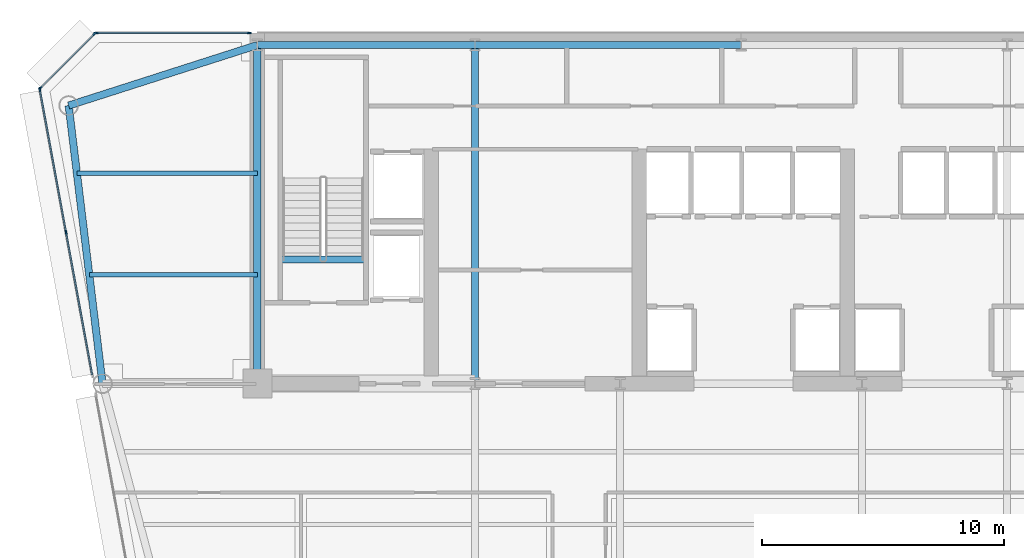
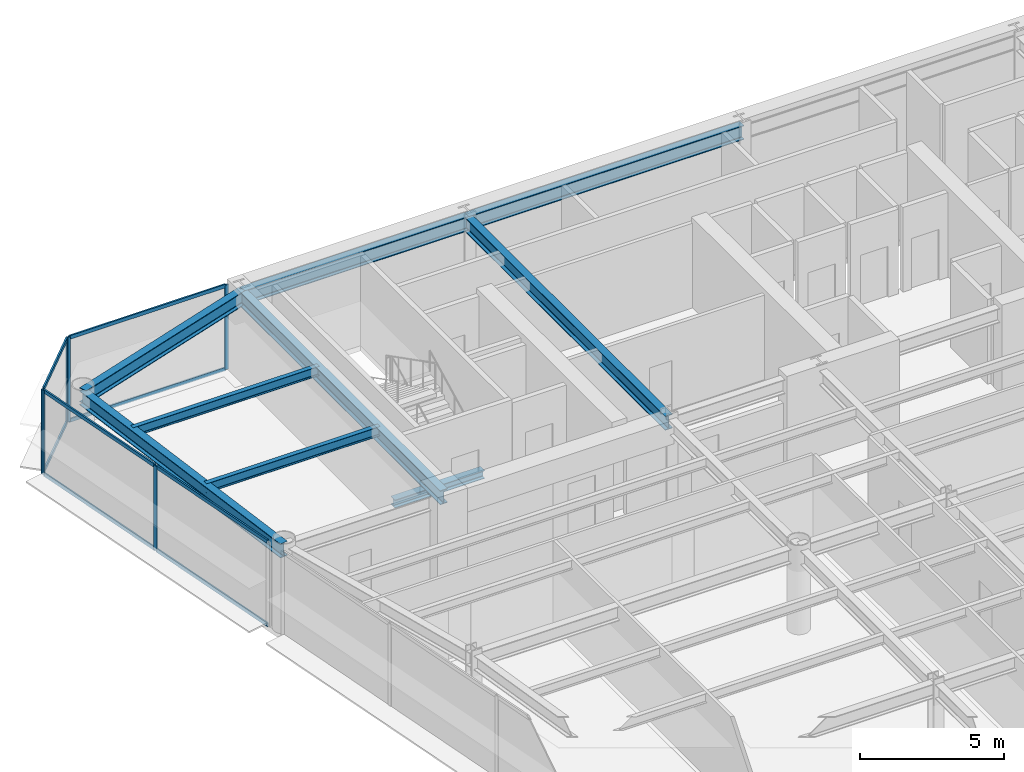
# One storey, part 7 of 16: 14 members, 9 beams, 3 elements without a shape of their own.
"""IFC4 building model written with IfcOpenShell, lengths in metres."""

import ifcopenshell
import ifcopenshell.guid

model = None  # the IFC model being written
_history = None  # IfcOwnerHistory: only IFC2X3 demands one
_inside = {}  # id of a spatial element -> (the spatial element, [elements in it])
_under = {}  # id of a project, library or spatial element -> (it, [spatial elements below it])
_declared = {}  # id of a project -> (the project, [libraries it declares])
_typed = {}  # id of a type object -> (the type object, [elements of that type])
_made_of = {}  # id of a material, layer set ... -> (it, [elements and type objects made of it])


def new_model(schema):
    """Start an empty IFC model of exactly this schema.

    Asked for "IFC4X3", IfcOpenShell would pick the latest addendum, in which some entities
    have other attributes; the version numbers below select the first issue.
    IFC2X3 requires an IfcOwnerHistory on every rooted entity: one is made here for all.
    """
    global model, _history
    if schema == "IFC4X3":
        model = ifcopenshell.file(schema_version=(4, 3, 0, 0))
    else:
        model = ifcopenshell.file(schema=schema)
    _inside.clear()
    _under.clear()
    _declared.clear()
    _typed.clear()
    _made_of.clear()
    _history = None
    if model.schema == "IFC2X3":
        org = make("IfcOrganization", Name="unknown")
        user = make(
            "IfcPersonAndOrganization",
            ThePerson=make("IfcPerson", FamilyName="unknown"),
            TheOrganization=org,
        )
        app = make(
            "IfcApplication",
            ApplicationDeveloper=org,
            Version="unknown",
            ApplicationFullName="unknown",
            ApplicationIdentifier="unknown",
        )
        _history = make(
            "IfcOwnerHistory",
            OwningUser=user,
            OwningApplication=app,
            ChangeAction="ADDED",
            CreationDate=0,
        )
    return model


def make(cls, **values):
    """One entity of the class cls with the attributes given. An attribute that is None is left unset."""
    return model.create_entity(
        cls, **{name: value for name, value in values.items() if value is not None}
    )


def rooted(cls, **values):
    """An entity with a GlobalId (a new one), such as an element, a storey or a relation."""
    return make(cls, GlobalId=ifcopenshell.guid.new(), OwnerHistory=_history, **values)


def si_unit(unit_type, name, prefix=None):
    """IfcSIUnit, for example si_unit("LENGTHUNIT", "METRE", prefix="MILLI")."""
    return make("IfcSIUnit", UnitType=unit_type, Prefix=prefix, Name=name)


def assignment(units):
    """IfcUnitAssignment: the units of a project."""
    return None if units is None else make("IfcUnitAssignment", Units=units)


def point(xyz):
    """IfcCartesianPoint."""
    return None if xyz is None else make("IfcCartesianPoint", Coordinates=xyz)


def direction(xyz):
    """IfcDirection."""
    return None if xyz is None else make("IfcDirection", DirectionRatios=xyz)


def frame(location, z_axis=None, x_axis=None):
    """IfcAxis2Placement3D, a coordinate frame: its origin and axes. An axis left out is left unset."""
    return make(
        "IfcAxis2Placement3D",
        Location=point(location),
        Axis=direction(z_axis),
        RefDirection=direction(x_axis),
    )


def frame_2d(location, x_axis=None):
    """IfcAxis2Placement2D, a coordinate frame in the plane: its origin and x axis."""
    return make(
        "IfcAxis2Placement2D", Location=point(location), RefDirection=direction(x_axis)
    )


def origin():
    """The frame at (0, 0, 0) with its axes left unset."""
    return frame((0.0, 0.0, 0.0))


def origin_2d():
    """The frame at (0, 0) in the plane with its x axis left unset."""
    return frame_2d((0.0, 0.0))


def place(relative_to, where):
    """IfcLocalPlacement: puts the frame where relative to a parent placement (None: the world)."""
    return make(
        "IfcLocalPlacement", PlacementRelTo=relative_to, RelativePlacement=where
    )


def context(
    kind, dimensions, precision=None, world=None, true_north=None, identifier=None
):
    """IfcGeometricRepresentationContext, for example the 3D "Model" context."""
    return make(
        "IfcGeometricRepresentationContext",
        ContextIdentifier=identifier,
        ContextType=kind,
        CoordinateSpaceDimension=dimensions,
        Precision=precision,
        WorldCoordinateSystem=world,
        TrueNorth=true_north,
    )


def subcontext(parent, identifier, kind, view, scale=None):
    """IfcGeometricRepresentationSubContext, for example "Body" below "Model"."""
    return make(
        "IfcGeometricRepresentationSubContext",
        ContextIdentifier=identifier,
        ContextType=kind,
        ParentContext=parent,
        TargetScale=scale,
        TargetView=view,
    )


def project(units=None, contexts=None):
    """IfcProject with its units and contexts."""
    return rooted(
        "IfcProject",
        Name="project",
        RepresentationContexts=contexts,
        UnitsInContext=assignment(units),
    )


def spatial(cls, under=None, at=None, **own):
    """A site, building, storey or space (cls), placed at a placement, below another one or the project."""
    s = rooted(cls, ObjectPlacement=at, **own)
    if under is not None:
        _under.setdefault(under.id(), (under, []))[1].append(s)
    return s


def profile(cls, at=None, kind="AREA", **sizes):
    """A parametric profile (cls). Its sizes go by their IFC names, for example OverallWidth=200.0."""
    return make(cls, ProfileType=kind, Position=at, **sizes)


def rectangle(**sizes):
    """IfcRectangleProfileDef."""
    return profile("IfcRectangleProfileDef", **sizes)


def i_section(**sizes):
    """IfcIShapeProfileDef."""
    return profile("IfcIShapeProfileDef", **sizes)


def extrude(swept, where, along, depth):
    """IfcExtrudedAreaSolid: the profile swept, set in the frame where, extruded along a direction by depth."""
    return make(
        "IfcExtrudedAreaSolid",
        SweptArea=swept,
        Position=where,
        ExtrudedDirection=direction(along),
        Depth=depth,
    )


def shape(context_of_items, identifier, shape_type, items):
    """IfcShapeRepresentation: the items that make up one representation, for example the "Body"."""
    return make(
        "IfcShapeRepresentation",
        ContextOfItems=context_of_items,
        RepresentationIdentifier=identifier,
        RepresentationType=shape_type,
        Items=items,
    )


def source(mapping_origin, context_of_items, identifier, shape_type, items):
    """IfcRepresentationMap: a shape defined once, which mapped items show again and again."""
    return make(
        "IfcRepresentationMap",
        MappingOrigin=mapping_origin,
        MappedRepresentation=shape(context_of_items, identifier, shape_type, items),
    )


def transform(
    local_origin,
    x_axis=None,
    y_axis=None,
    z_axis=None,
    scale=None,
    scale2=None,
    scale3=None,
    uniform=True,
):
    """IfcCartesianTransformationOperator3D, or its non-uniform kind. x_axis, y_axis, z_axis: its Axis1, 2, 3."""
    if uniform:
        return make(
            "IfcCartesianTransformationOperator3D",
            Axis1=direction(x_axis),
            Axis2=direction(y_axis),
            LocalOrigin=point(local_origin),
            Scale=scale,
            Axis3=direction(z_axis),
        )
    return make(
        "IfcCartesianTransformationOperator3DnonUniform",
        Axis1=direction(x_axis),
        Axis2=direction(y_axis),
        LocalOrigin=point(local_origin),
        Scale=scale,
        Axis3=direction(z_axis),
        Scale2=scale2,
        Scale3=scale3,
    )


def mapped(mapping_source, mapping_target):
    """IfcMappedItem: shows the shape of a source again, moved by a transform."""
    return make(
        "IfcMappedItem", MappingSource=mapping_source, MappingTarget=mapping_target
    )


def material(Name=None, Category=None):
    """IfcMaterial."""
    return make("IfcMaterial", Name=Name, Category=Category)


def layer(
    of_material, thickness, ventilated=None, Name=None, Category=None, Priority=None
):
    """IfcMaterialLayer: one layer of a wall or slab, of a material (None: an air gap)."""
    return make(
        "IfcMaterialLayer",
        Material=of_material,
        LayerThickness=thickness,
        IsVentilated=ventilated,
        Name=Name,
        Category=Category,
        Priority=Priority,
    )


def layer_set(layers, Name=None):
    """IfcMaterialLayerSet."""
    return make("IfcMaterialLayerSet", MaterialLayers=layers, LayerSetName=Name)


def material_profile(
    of_material, cross_section, Name=None, Category=None, Priority=None
):
    """IfcMaterialProfile: a cross section and its material."""
    return make(
        "IfcMaterialProfile",
        Name=Name,
        Material=of_material,
        Profile=cross_section,
        Priority=Priority,
        Category=Category,
    )


def profile_set(profiles, Name=None, composite=None):
    """IfcMaterialProfileSet."""
    return make(
        "IfcMaterialProfileSet",
        Name=Name,
        MaterialProfiles=profiles,
        CompositeProfile=composite,
    )


def made_of(thing, what):
    """Note that an element or type object is made of a material, layer set ...; save() writes the relation."""
    if what is not None:
        _made_of.setdefault(what.id(), (what, []))[1].append(thing)
    return thing


def type_object(cls, material=None, **own):
    """A type object (cls), such as IfcWallType, which elements share."""
    return made_of(rooted(cls, **own), material)


def element(
    cls,
    number,
    at=None,
    inside=None,
    cuts=None,
    type_object=None,
    material=None,
    context=None,
    identifier="Body",
    shape_type=None,
    held_by="IfcProductDefinitionShape",
    body=None,
    shapes=None,
    **own,
):
    """One element of the class cls, such as IfcWall. Its Tag is "e" and its number.

    at: its placement. inside: the storey or other place that contains it. cuts: it is an
    opening in that element (IfcRelVoidsElement). A single representation is given by context,
    identifier, shape_type and body (its items); several are given by shapes. held_by: the class
    of the entity that holds the representations. save() writes the other relations.
    """
    e = rooted(cls, Tag="e%d" % number, ObjectPlacement=at, **own)
    if body is not None:
        shapes = [shape(context, identifier, shape_type, body)]
    if shapes is not None:
        e.Representation = make(held_by, Representations=shapes)
    if inside is not None:
        _inside.setdefault(inside.id(), (inside, []))[1].append(e)
    if cuts is not None:
        rooted(
            "IfcRelVoidsElement", RelatingBuildingElement=cuts, RelatedOpeningElement=e
        )
    if type_object is not None:
        _typed.setdefault(type_object.id(), (type_object, []))[1].append(e)
    return made_of(e, material)


def aggregate(whole, parts):
    """IfcRelAggregates: a whole, such as a stair, and the parts it consists of."""
    return rooted("IfcRelAggregates", RelatingObject=whole, RelatedObjects=parts)


def save(model, path):
    """Write the relations noted so far, then the file.

    IfcRelAggregates (storeys below a building ...), IfcRelContainedInSpatialStructure (elements
    in a storey), IfcRelDefinesByType, IfcRelAssociatesMaterial and IfcRelDeclares: one each for
    every whole, place, type object, material and project.
    """
    for whole, parts in _under.values():
        aggregate(whole, parts)
    for where, things in _inside.values():
        rooted(
            "IfcRelContainedInSpatialStructure",
            RelatedElements=things,
            RelatingStructure=where,
        )
    for kind, things in _typed.values():
        rooted("IfcRelDefinesByType", RelatedObjects=things, RelatingType=kind)
    for what, things in _made_of.values():
        rooted("IfcRelAssociatesMaterial", RelatedObjects=things, RelatingMaterial=what)
    for by, libraries in _declared.values():
        rooted("IfcRelDeclares", RelatingContext=by, RelatedDefinitions=libraries)
    model.write(path)


model = new_model("IFC4")

# Units and contexts
model_context = context("Model", 3, precision=1e-05, world=origin(), true_north=direction((0.0, 1.0)))
body_context = subcontext(model_context, "Body", "Model", "MODEL_VIEW")
ifc_project = project(units=[si_unit("LENGTHUNIT", "METRE"), si_unit("AREAUNIT", "SQUARE_METRE"), si_unit("VOLUMEUNIT", "CUBIC_METRE"), si_unit("PLANEANGLEUNIT", "RADIAN"), si_unit("MASSUNIT", "GRAM", prefix="KILO")], contexts=[model_context])

# Site, building, storey
site_placement = place(None, origin())
site = spatial("IfcSite", under=ifc_project, at=site_placement, CompositionType="ELEMENT")
building_placement = place(site_placement, origin())
building = spatial("IfcBuilding", under=site, at=building_placement, Name="Vaeldorn Concourse Tower", CompositionType="ELEMENT")
storey_placement = place(building_placement, frame((0.0, 0.0, 195.60009765625)))
storey = spatial("IfcBuildingStorey", under=building, at=storey_placement, Name="L50", CompositionType="ELEMENT", Elevation=195.60009765625)

# Beams
ifc_material_1 = material(Name="Steel S355", Category="steel")
ifc_material_profile_1 = material_profile(ifc_material_1, i_section(OverallWidth=0.300048828125, OverallDepth=0.340087890625, WebThickness=0.011962890625, FlangeThickness=0.021484375, FilletRadius=0.027099609375, at=origin_2d()), Name="HEB 340")
ifc_profile_set_1 = profile_set([ifc_material_profile_1], Name="Steel S355")
beam_type_1 = type_object("IfcBeamType", Name="BM-ST-TRIM", PredefinedType="BEAM", material=ifc_profile_set_1)
shared_shape_1 = source(origin(), body_context, "Body", "SweptSolid", [
    extrude(i_section(OverallWidth=0.300048828125, OverallDepth=0.340087890625, WebThickness=0.011962890625, FlangeThickness=0.021484375, FilletRadius=0.027099609375, at=origin_2d()), origin(), (0.0, 0.0, 1.0), 3.590087890625),
])
beam_1_placement = place(storey_placement, frame((14.929931640625, 41.639892578125, -0.39013671875), z_axis=(1.0, 0.0, 0.0), x_axis=(0.0, 1.0, 0.0)))
element("IfcBeam", 1, at=beam_1_placement, inside=storey, type_object=beam_type_1, Name="Stair Landing Trimmer Beam ST-1 L50", PredefinedType="BEAM", context=body_context, shape_type="MappedRepresentation", body=[
    mapped(shared_shape_1, transform((0.0, 0.0, 0.0), scale=1.0)),
])
ifc_material_profile_2 = material_profile(ifc_material_1, i_section(OverallWidth=0.300048828125, OverallDepth=0.60009765625, WebThickness=0.015380859375, FlangeThickness=0.030029296875, FilletRadius=0.027099609375, at=origin_2d()), Name="HEB 600")
ifc_profile_set_2 = profile_set([ifc_material_profile_2], Name="Steel S355")
beam_type_2 = type_object("IfcBeamType", Name="BM-PG-HEB600", PredefinedType="BEAM", material=ifc_profile_set_2)
shared_shape_2 = source(origin(), body_context, "Body", "SweptSolid", [
    extrude(i_section(OverallWidth=0.300048828125, OverallDepth=0.60009765625, WebThickness=0.015380859375, FlangeThickness=0.030029296875, FilletRadius=0.027099609375, at=origin_2d()), origin(), (0.0, 0.0, 1.0), 9.0),
])
beam_2_placement = place(storey_placement, frame((14.0, 50.5, 3.27978515625), z_axis=(1.0, 0.0, 0.0), x_axis=(0.0, 1.0, 0.0)))
element("IfcBeam", 2, at=beam_2_placement, inside=storey, type_object=beam_type_2, Name="Beam BM-L50-C-HC1-C-HC2", PredefinedType="BEAM", context=body_context, shape_type="MappedRepresentation", body=[
    mapped(shared_shape_2, transform((0.0, 0.0, 0.0), scale=1.0)),
])
shared_shape_3 = source(origin(), body_context, "Body", "SweptSolid", [
    extrude(i_section(OverallWidth=0.300048828125, OverallDepth=0.60009765625, WebThickness=0.015380859375, FlangeThickness=0.030029296875, FilletRadius=0.027099609375, at=origin_2d()), origin(), (0.0, 0.0, 1.0), 11.0),
])
beam_3_placement = place(storey_placement, frame((23.0, 50.5, 3.27978515625), z_axis=(1.0, 0.0, 0.0), x_axis=(0.0, 1.0, 0.0)))
element("IfcBeam", 3, at=beam_3_placement, inside=storey, type_object=beam_type_2, Name="Beam BM-L50-C-HC2-C-HC3", PredefinedType="BEAM", context=body_context, shape_type="MappedRepresentation", body=[
    mapped(shared_shape_3, transform((0.0, 0.0, 0.0), scale=1.0)),
])
shared_shape_4 = source(origin(), body_context, "Body", "SweptSolid", [
    extrude(i_section(OverallWidth=0.300048828125, OverallDepth=0.60009765625, WebThickness=0.015380859375, FlangeThickness=0.030029296875, FilletRadius=0.027099609375, at=origin_2d()), origin(), (0.0, 0.0, 1.0), 14.0),
])
for number, where, z_axis, x_axis, name in (
    (4, (14.0, 36.5, 3.27978515625), (0.0, 1.0, 0.0), (-1.0, 0.0, 0.0), "Beam BM-L50-C-FC1-C-HC1"),
    (5, (23.0, 36.5, 3.27978515625), (0.0, 1.0, 0.0), (-1.0, 0.0, 0.0), "Beam BM-L50-C-FC2-C-HC2"),
):
    element("IfcBeam", number, at=place(storey_placement, frame(where, z_axis=z_axis, x_axis=x_axis)), inside=storey, type_object=beam_type_2, Name=name, PredefinedType="BEAM", context=body_context, shape_type="MappedRepresentation", body=[
        mapped(shared_shape_4, transform((0.0, 0.0, 0.0), scale=1.0)),
    ])
shared_shape_5 = source(origin(), body_context, "Body", "SweptSolid", [
    extrude(i_section(OverallWidth=0.300048828125, OverallDepth=0.60009765625, WebThickness=0.015380859375, FlangeThickness=0.030029296875, FilletRadius=0.027099609375, at=origin_2d()), origin(), (0.0, 0.0, 1.0), 8.19091796875),
])
beam_4_placement = place(storey_placement, frame((6.199951171875, 48.0, 3.27978515625), z_axis=(0.952282843383, 0.305216949396, 0.0), x_axis=(-0.305216949396, 0.952282843383, 0.0)))
element("IfcBeam", 6, at=beam_4_placement, inside=storey, type_object=beam_type_2, Name="Beam BM-L50-C-NW1-C-HC1", PredefinedType="BEAM", context=body_context, shape_type="MappedRepresentation", body=[
    mapped(shared_shape_5, transform((0.0, 0.0, 0.0), scale=1.0)),
])
shared_shape_6 = source(origin(), body_context, "Body", "SweptSolid", [
    extrude(i_section(OverallWidth=0.300048828125, OverallDepth=0.60009765625, WebThickness=0.015380859375, FlangeThickness=0.030029296875, FilletRadius=0.027099609375, at=origin_2d()), origin(), (0.0, 0.0, 1.0), 11.5849609375),
])
beam_5_placement = place(storey_placement, frame((6.199951171875, 48.0, 3.27978515625), z_axis=(0.120859382899, -0.992669637677, 0.0), x_axis=(0.992669637677, 0.120859382899, 0.0)))
element("IfcBeam", 7, at=beam_5_placement, inside=storey, type_object=beam_type_2, Name="Beam BM-L50-C-NW1-C-NW2", PredefinedType="BEAM", context=body_context, shape_type="MappedRepresentation", body=[
    mapped(shared_shape_6, transform((0.0, 0.0, 0.0), scale=1.0)),
])
ifc_material_profile_3 = material_profile(ifc_material_1, i_section(OverallWidth=0.179931640625, OverallDepth=0.39990234375, WebThickness=0.008544921875, FlangeThickness=0.013427734375, FilletRadius=0.02099609375, at=origin_2d()), Name="IPE 400")
ifc_profile_set_3 = profile_set([ifc_material_profile_3], Name="Steel S355")
beam_type_3 = type_object("IfcBeamType", Name="BM-JS-IPE400", PredefinedType="JOIST", material=ifc_profile_set_3)
shared_shape_7 = source(origin(), body_context, "Body", "SweptSolid", [
    extrude(i_section(OverallWidth=0.179931640625, OverallDepth=0.39990234375, WebThickness=0.008544921875, FlangeThickness=0.013427734375, FilletRadius=0.02099609375, at=origin_2d()), origin(), (0.0, 0.0, 1.0), 6.94775390625),
])
beam_6_placement = place(storey_placement, frame((7.05224609375, 41.0, 3.3798828125), z_axis=(1.0, 0.0, 0.0), x_axis=(0.0, 1.0, 0.0)))
element("IfcBeam", 8, at=beam_6_placement, inside=storey, type_object=beam_type_3, Name="Beam JS-L50-NW-410", PredefinedType="JOIST", context=body_context, shape_type="MappedRepresentation", body=[
    mapped(shared_shape_7, transform((0.0, 0.0, 0.0), scale=1.0)),
])
shared_shape_8 = source(origin(), body_context, "Body", "SweptSolid", [
    extrude(i_section(OverallWidth=0.179931640625, OverallDepth=0.39990234375, WebThickness=0.008544921875, FlangeThickness=0.013427734375, FilletRadius=0.02099609375, at=origin_2d()), origin(), (0.0, 0.0, 1.0), 7.458984375),
])
beam_7_placement = place(storey_placement, frame((6.541015625, 45.199951171875, 3.3798828125), z_axis=(1.0, 0.0, 0.0), x_axis=(0.0, 1.0, 0.0)))
element("IfcBeam", 9, at=beam_7_placement, inside=storey, type_object=beam_type_3, Name="Beam JS-L50-NW-452", PredefinedType="JOIST", context=body_context, shape_type="MappedRepresentation", body=[
    mapped(shared_shape_8, transform((0.0, 0.0, 0.0), scale=1.0)),
])

# Curtain wall, members
ifc_material_2 = material(Name="Anodised Bronze Aluminium", Category="aluminium")
ifc_layer = layer(ifc_material_2, 0.18994140625)
ifc_layer_set = layer_set([ifc_layer], Name="Anodised Bronze Aluminium")
curtain_wall_type = type_object("IfcCurtainWallType", Name="CW-SYS-03", PredefinedType="NOTDEFINED", material=ifc_layer_set)
curtain_wall_1_placement = place(storey_placement, origin())
curtain_wall_1 = element("IfcCurtainWall", 10, at=curtain_wall_1_placement, inside=storey, type_object=curtain_wall_type, Name="Unitised Curtain Wall CW-L50-E09-2", PredefinedType="NOTDEFINED")
ifc_material_profile_4 = material_profile(ifc_material_2, rectangle(XDim=0.06494140625, YDim=0.169921875, at=origin_2d()), Name="CWM 65x170")
ifc_profile_set_4 = profile_set([ifc_material_profile_4], Name="Anodised Bronze Aluminium")
member_type_1 = type_object("IfcMemberType", Name="CWM-BRONZE-170", PredefinedType="MULLION", material=ifc_profile_set_4)
shared_shape_9 = source(origin(), body_context, "Body", "SweptSolid", [
    extrude(rectangle(XDim=0.06494140625, YDim=0.169921875, at=origin_2d()), origin(), (0.0, 0.0, 1.0), 3.579833984375),
])
member_1_placement = place(storey_placement, frame((13.672607421875, 51.0, 0.0), z_axis=(0.0, 0.0, 1.0), x_axis=(0.0, -1.0, 0.0)))
member_1 = element("IfcMember", 11, at=member_1_placement, type_object=member_type_1, Name="CW-03 mullion 1", PredefinedType="MULLION", context=body_context, shape_type="MappedRepresentation", body=[
    mapped(shared_shape_9, transform((0.0, 0.0, 0.0), scale=1.0)),
])
member_2_placement = place(storey_placement, frame((7.33251953125, 51.0, 0.0), z_axis=(0.0, 0.0, 1.0), x_axis=(0.0, -1.0, 0.0)))
member_2 = element("IfcMember", 12, at=member_2_placement, type_object=member_type_1, Name="CW-03 mullion 2", PredefinedType="MULLION", context=body_context, shape_type="MappedRepresentation", body=[
    mapped(shared_shape_9, transform((0.0, 0.0, 0.0), scale=1.0)),
])

curtain_wall_2_placement = place(storey_placement, origin())
curtain_wall_2 = element("IfcCurtainWall", 13, at=curtain_wall_2_placement, inside=storey, type_object=curtain_wall_type, Name="Unitised Curtain Wall CW-L50-E10-1", PredefinedType="NOTDEFINED")
member_3_placement = place(storey_placement, frame((7.277099609375, 50.97705078125, 0.0), z_axis=(0.0, 0.0, 1.0), x_axis=(0.707106781187, -0.707106781187, 0.0)))
member_3 = element("IfcMember", 14, at=member_3_placement, type_object=member_type_1, Name="CW-03 mullion 1", PredefinedType="MULLION", context=body_context, shape_type="MappedRepresentation", body=[
    mapped(shared_shape_9, transform((0.0, 0.0, 0.0), scale=1.0)),
])
member_4_placement = place(storey_placement, frame((5.02294921875, 48.722900390625, 0.0), z_axis=(0.0, 0.0, 1.0), x_axis=(0.707106781187, -0.707106781187, 0.0)))
member_4 = element("IfcMember", 15, at=member_4_placement, type_object=member_type_1, Name="CW-03 mullion 2", PredefinedType="MULLION", context=body_context, shape_type="MappedRepresentation", body=[
    mapped(shared_shape_9, transform((0.0, 0.0, 0.0), scale=1.0)),
])

curtain_wall_3_placement = place(storey_placement, origin())
curtain_wall_3 = element("IfcCurtainWall", 16, at=curtain_wall_3_placement, inside=storey, type_object=curtain_wall_type, Name="Unitised Curtain Wall CW-L50-E11-1", PredefinedType="NOTDEFINED")
member_5_placement = place(storey_placement, frame((5.005859375, 48.66796875, 0.0), z_axis=(0.0, 0.0, 1.0), x_axis=(0.983559459619, 0.180584576845, 0.0)))
member_5 = element("IfcMember", 17, at=member_5_placement, type_object=member_type_1, Name="CW-03 mullion 1", PredefinedType="MULLION", context=body_context, shape_type="MappedRepresentation", body=[
    mapped(shared_shape_9, transform((0.0, 0.0, 0.0), scale=1.0)),
])
member_6_placement = place(storey_placement, frame((6.091796875, 42.753662109375, 0.0), z_axis=(0.0, 0.0, 1.0), x_axis=(0.983559459619, 0.180584576845, 0.0)))
member_6 = element("IfcMember", 18, at=member_6_placement, type_object=member_type_1, Name="CW-03 mullion 2", PredefinedType="MULLION", context=body_context, shape_type="MappedRepresentation", body=[
    mapped(shared_shape_9, transform((0.0, 0.0, 0.0), scale=1.0)),
])

# Member
ifc_material_profile_5 = material_profile(ifc_material_2, rectangle(XDim=0.06494140625, YDim=0.14990234375, at=origin_2d()), Name="CWT 65x150")
ifc_profile_set_5 = profile_set([ifc_material_profile_5], Name="Anodised Bronze Aluminium")
member_type_2 = type_object("IfcMemberType", Name="CWT-BRONZE-150", PredefinedType="USERDEFINED", material=ifc_profile_set_5)
shared_shape_10 = source(origin(), body_context, "Body", "SweptSolid", [
    extrude(rectangle(XDim=0.06494140625, YDim=0.14990234375, at=origin_2d()), origin(), (0.0, 0.0, 1.0), 3.123046875),
])
member_7_placement = place(storey_placement, frame((7.254150390625, 50.9541015625, 0.032470703125), z_axis=(-0.707106781187, -0.707106781187, 0.0), x_axis=(0.707106781187, -0.707106781187, 0.0)))
member_7 = element("IfcMember", 19, at=member_7_placement, type_object=member_type_2, Name="CW-03 transom 1.1", ObjectType="TRANSOM", PredefinedType="USERDEFINED", context=body_context, shape_type="MappedRepresentation", body=[
    mapped(shared_shape_10, transform((0.0, 0.0, 0.0), scale=1.0)),
])

member_8_placement = place(storey_placement, frame((7.254150390625, 50.9541015625, 3.54736328125), z_axis=(-0.707106781187, -0.707106781187, 0.0), x_axis=(0.707106781187, -0.707106781187, 0.0)))
member_8 = element("IfcMember", 20, at=member_8_placement, type_object=member_type_2, Name="CW-03 transom 1.2", ObjectType="TRANSOM", PredefinedType="USERDEFINED", context=body_context, shape_type="MappedRepresentation", body=[
    mapped(shared_shape_10, transform((0.0, 0.0, 0.0), scale=1.0)),
])

aggregate(curtain_wall_2, [member_3, member_4, member_7, member_8])

shared_shape_11 = source(origin(), body_context, "Body", "SweptSolid", [
    extrude(rectangle(XDim=0.06494140625, YDim=0.14990234375, at=origin_2d()), origin(), (0.0, 0.0, 1.0), 6.27490234375),
])
member_9_placement = place(storey_placement, frame((13.639892578125, 51.0, 0.032470703125), z_axis=(-1.0, 0.0, 0.0), x_axis=(0.0, -1.0, 0.0)))
member_9 = element("IfcMember", 21, at=member_9_placement, type_object=member_type_2, Name="CW-03 transom 1.1", ObjectType="TRANSOM", PredefinedType="USERDEFINED", context=body_context, shape_type="MappedRepresentation", body=[
    mapped(shared_shape_11, transform((0.0, 0.0, 0.0), scale=1.0)),
])

member_10_placement = place(storey_placement, frame((13.639892578125, 51.0, 3.54736328125), z_axis=(-1.0, 0.0, 0.0), x_axis=(0.0, -1.0, 0.0)))
member_10 = element("IfcMember", 22, at=member_10_placement, type_object=member_type_2, Name="CW-03 transom 1.2", ObjectType="TRANSOM", PredefinedType="USERDEFINED", context=body_context, shape_type="MappedRepresentation", body=[
    mapped(shared_shape_11, transform((0.0, 0.0, 0.0), scale=1.0)),
])

aggregate(curtain_wall_1, [member_1, member_2, member_9, member_10])

shared_shape_12 = source(origin(), body_context, "Body", "SweptSolid", [
    extrude(rectangle(XDim=0.06494140625, YDim=0.14990234375, at=origin_2d()), origin(), (0.0, 0.0, 1.0), 5.9482421875),
])
member_11_placement = place(storey_placement, frame((5.01171875, 48.635986328125, 0.032470703125), z_axis=(0.180597229094, -0.983557136542, 0.0), x_axis=(0.983557136542, 0.180597229094, 0.0)))
member_11 = element("IfcMember", 23, at=member_11_placement, type_object=member_type_2, Name="CW-03 transom 1.1", ObjectType="TRANSOM", PredefinedType="USERDEFINED", context=body_context, shape_type="MappedRepresentation", body=[
    mapped(shared_shape_12, transform((0.0, 0.0, 0.0), scale=1.0)),
])

member_12_placement = place(storey_placement, frame((5.01171875, 48.635986328125, 3.54736328125), z_axis=(0.180597229094, -0.983557136542, 0.0), x_axis=(0.983557136542, 0.180597229094, 0.0)))
member_12 = element("IfcMember", 24, at=member_12_placement, type_object=member_type_2, Name="CW-03 transom 1.2", ObjectType="TRANSOM", PredefinedType="USERDEFINED", context=body_context, shape_type="MappedRepresentation", body=[
    mapped(shared_shape_12, transform((0.0, 0.0, 0.0), scale=1.0)),
])

member_13_placement = place(storey_placement, frame((6.09765625, 42.7216796875, 0.032470703125), z_axis=(0.180597229094, -0.983557136542, 0.0), x_axis=(0.983557136542, 0.180597229094, 0.0)))
member_13 = element("IfcMember", 25, at=member_13_placement, type_object=member_type_2, Name="CW-03 transom 2.1", ObjectType="TRANSOM", PredefinedType="USERDEFINED", context=body_context, shape_type="MappedRepresentation", body=[
    mapped(shared_shape_12, transform((0.0, 0.0, 0.0), scale=1.0)),
])

member_14_placement = place(storey_placement, frame((6.09765625, 42.7216796875, 3.54736328125), z_axis=(0.180597229094, -0.983557136542, 0.0), x_axis=(0.983557136542, 0.180597229094, 0.0)))
member_14 = element("IfcMember", 26, at=member_14_placement, type_object=member_type_2, Name="CW-03 transom 2.2", ObjectType="TRANSOM", PredefinedType="USERDEFINED", context=body_context, shape_type="MappedRepresentation", body=[
    mapped(shared_shape_12, transform((0.0, 0.0, 0.0), scale=1.0)),
])

aggregate(curtain_wall_3, [member_5, member_6, member_11, member_12, member_13, member_14])

save(model, "model.ifc")
